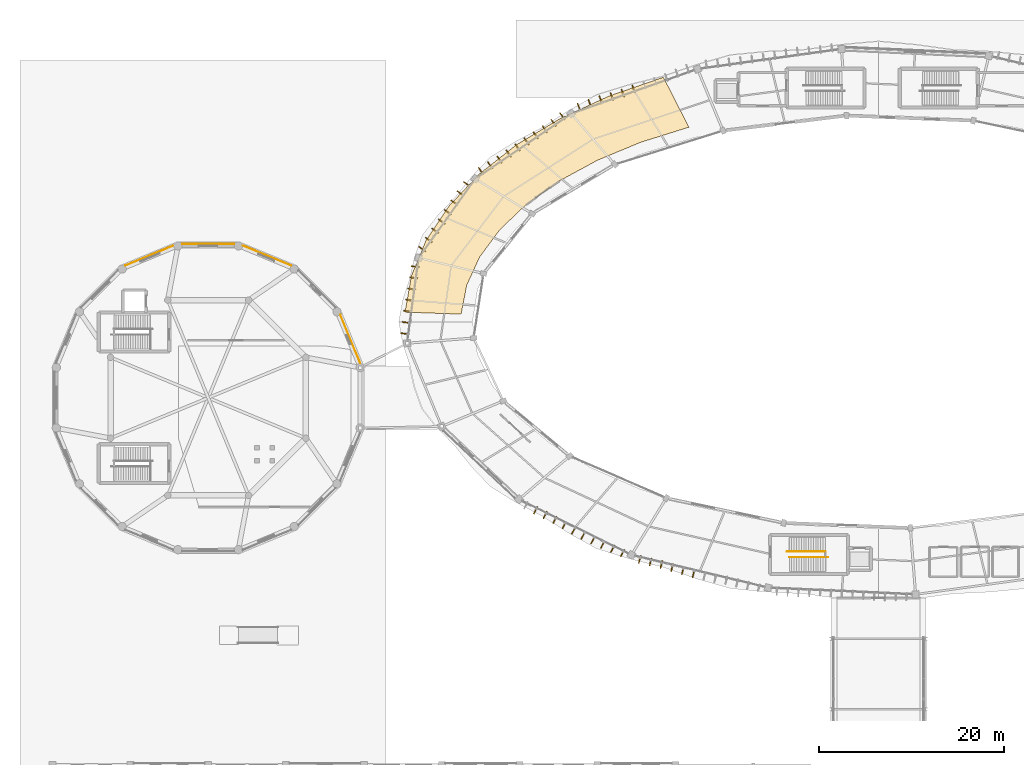
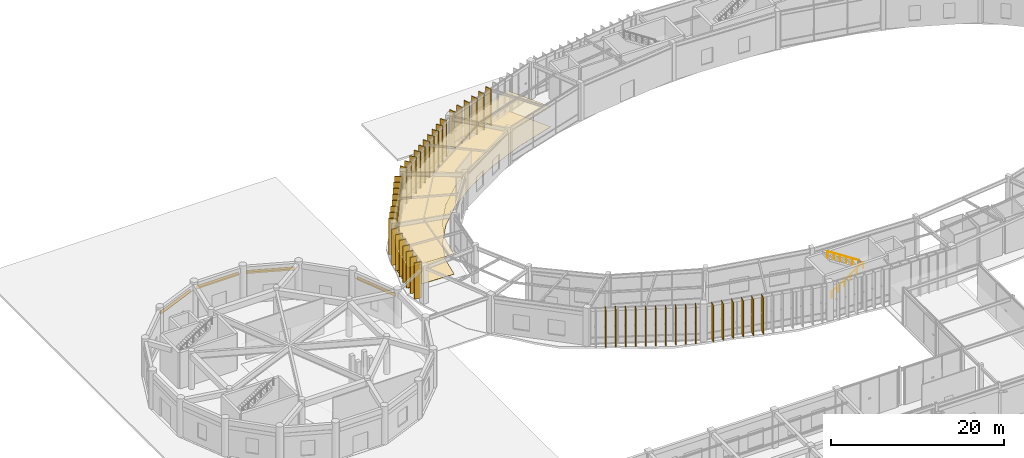
# One storey, part 149 of 157: 47 shading devices, 6 coverings, 2 railings.
"""IFC4 building model written with IfcOpenShell, lengths in metres."""

import ifcopenshell
import ifcopenshell.guid

model = None  # the IFC model being written
_history = None  # IfcOwnerHistory: only IFC2X3 demands one
_inside = {}  # id of a spatial element -> (the spatial element, [elements in it])
_under = {}  # id of a project, library or spatial element -> (it, [spatial elements below it])
_declared = {}  # id of a project -> (the project, [libraries it declares])
_typed = {}  # id of a type object -> (the type object, [elements of that type])
_made_of = {}  # id of a material, layer set ... -> (it, [elements and type objects made of it])


def new_model(schema):
    """Start an empty IFC model of exactly this schema.

    Asked for "IFC4X3", IfcOpenShell would pick the latest addendum, in which some entities
    have other attributes; the version numbers below select the first issue.
    IFC2X3 requires an IfcOwnerHistory on every rooted entity: one is made here for all.
    """
    global model, _history
    if schema == "IFC4X3":
        model = ifcopenshell.file(schema_version=(4, 3, 0, 0))
    else:
        model = ifcopenshell.file(schema=schema)
    _inside.clear()
    _under.clear()
    _declared.clear()
    _typed.clear()
    _made_of.clear()
    _history = None
    if model.schema == "IFC2X3":
        org = make("IfcOrganization", Name="unknown")
        user = make(
            "IfcPersonAndOrganization",
            ThePerson=make("IfcPerson", FamilyName="unknown"),
            TheOrganization=org,
        )
        app = make(
            "IfcApplication",
            ApplicationDeveloper=org,
            Version="unknown",
            ApplicationFullName="unknown",
            ApplicationIdentifier="unknown",
        )
        _history = make(
            "IfcOwnerHistory",
            OwningUser=user,
            OwningApplication=app,
            ChangeAction="ADDED",
            CreationDate=0,
        )
    return model


def make(cls, **values):
    """One entity of the class cls with the attributes given. An attribute that is None is left unset."""
    return model.create_entity(
        cls, **{name: value for name, value in values.items() if value is not None}
    )


def rooted(cls, **values):
    """An entity with a GlobalId (a new one), such as an element, a storey or a relation."""
    return make(cls, GlobalId=ifcopenshell.guid.new(), OwnerHistory=_history, **values)


def si_unit(unit_type, name, prefix=None):
    """IfcSIUnit, for example si_unit("LENGTHUNIT", "METRE", prefix="MILLI")."""
    return make("IfcSIUnit", UnitType=unit_type, Prefix=prefix, Name=name)


def assignment(units):
    """IfcUnitAssignment: the units of a project."""
    return None if units is None else make("IfcUnitAssignment", Units=units)


def point(xyz):
    """IfcCartesianPoint."""
    return None if xyz is None else make("IfcCartesianPoint", Coordinates=xyz)


def direction(xyz):
    """IfcDirection."""
    return None if xyz is None else make("IfcDirection", DirectionRatios=xyz)


def frame(location, z_axis=None, x_axis=None):
    """IfcAxis2Placement3D, a coordinate frame: its origin and axes. An axis left out is left unset."""
    return make(
        "IfcAxis2Placement3D",
        Location=point(location),
        Axis=direction(z_axis),
        RefDirection=direction(x_axis),
    )


def frame_2d(location, x_axis=None):
    """IfcAxis2Placement2D, a coordinate frame in the plane: its origin and x axis."""
    return make(
        "IfcAxis2Placement2D", Location=point(location), RefDirection=direction(x_axis)
    )


def origin():
    """The frame at (0, 0, 0) with its axes left unset."""
    return frame((0.0, 0.0, 0.0))


def origin_2d():
    """The frame at (0, 0) in the plane with its x axis left unset."""
    return frame_2d((0.0, 0.0))


def place(relative_to, where):
    """IfcLocalPlacement: puts the frame where relative to a parent placement (None: the world)."""
    return make(
        "IfcLocalPlacement", PlacementRelTo=relative_to, RelativePlacement=where
    )


def context(
    kind, dimensions, precision=None, world=None, true_north=None, identifier=None
):
    """IfcGeometricRepresentationContext, for example the 3D "Model" context."""
    return make(
        "IfcGeometricRepresentationContext",
        ContextIdentifier=identifier,
        ContextType=kind,
        CoordinateSpaceDimension=dimensions,
        Precision=precision,
        WorldCoordinateSystem=world,
        TrueNorth=true_north,
    )


def subcontext(parent, identifier, kind, view, scale=None):
    """IfcGeometricRepresentationSubContext, for example "Body" below "Model"."""
    return make(
        "IfcGeometricRepresentationSubContext",
        ContextIdentifier=identifier,
        ContextType=kind,
        ParentContext=parent,
        TargetScale=scale,
        TargetView=view,
    )


def project(units=None, contexts=None):
    """IfcProject with its units and contexts."""
    return rooted(
        "IfcProject",
        Name="project",
        RepresentationContexts=contexts,
        UnitsInContext=assignment(units),
    )


def spatial(cls, under=None, at=None, **own):
    """A site, building, storey or space (cls), placed at a placement, below another one or the project."""
    s = rooted(cls, ObjectPlacement=at, **own)
    if under is not None:
        _under.setdefault(under.id(), (under, []))[1].append(s)
    return s


def polyline(points):
    """IfcPolyline through the points."""
    return make("IfcPolyline", Points=[point(p) for p in points])


def profile(cls, at=None, kind="AREA", **sizes):
    """A parametric profile (cls). Its sizes go by their IFC names, for example OverallWidth=200.0."""
    return make(cls, ProfileType=kind, Position=at, **sizes)


def rectangle(**sizes):
    """IfcRectangleProfileDef."""
    return profile("IfcRectangleProfileDef", **sizes)


def circle(**sizes):
    """IfcCircleProfileDef."""
    return profile("IfcCircleProfileDef", **sizes)


def outline(outer, holes=None, kind="AREA"):
    """IfcArbitraryClosedProfileDef: a profile drawn as a closed curve; with holes, ...WithVoids."""
    if holes is None:
        return make("IfcArbitraryClosedProfileDef", ProfileType=kind, OuterCurve=outer)
    return make(
        "IfcArbitraryProfileDefWithVoids",
        ProfileType=kind,
        OuterCurve=outer,
        InnerCurves=holes,
    )


def extrude(swept, where, along, depth):
    """IfcExtrudedAreaSolid: the profile swept, set in the frame where, extruded along a direction by depth."""
    return make(
        "IfcExtrudedAreaSolid",
        SweptArea=swept,
        Position=where,
        ExtrudedDirection=direction(along),
        Depth=depth,
    )


def shape(context_of_items, identifier, shape_type, items):
    """IfcShapeRepresentation: the items that make up one representation, for example the "Body"."""
    return make(
        "IfcShapeRepresentation",
        ContextOfItems=context_of_items,
        RepresentationIdentifier=identifier,
        RepresentationType=shape_type,
        Items=items,
    )


def material(Name=None, Category=None):
    """IfcMaterial."""
    return make("IfcMaterial", Name=Name, Category=Category)


def layer(
    of_material, thickness, ventilated=None, Name=None, Category=None, Priority=None
):
    """IfcMaterialLayer: one layer of a wall or slab, of a material (None: an air gap)."""
    return make(
        "IfcMaterialLayer",
        Material=of_material,
        LayerThickness=thickness,
        IsVentilated=ventilated,
        Name=Name,
        Category=Category,
        Priority=Priority,
    )


def layer_set(layers, Name=None):
    """IfcMaterialLayerSet."""
    return make("IfcMaterialLayerSet", MaterialLayers=layers, LayerSetName=Name)


def made_of(thing, what):
    """Note that an element or type object is made of a material, layer set ...; save() writes the relation."""
    if what is not None:
        _made_of.setdefault(what.id(), (what, []))[1].append(thing)
    return thing


def type_object(cls, material=None, **own):
    """A type object (cls), such as IfcWallType, which elements share."""
    return made_of(rooted(cls, **own), material)


def element(
    cls,
    number,
    at=None,
    inside=None,
    cuts=None,
    type_object=None,
    material=None,
    context=None,
    identifier="Body",
    shape_type=None,
    held_by="IfcProductDefinitionShape",
    body=None,
    shapes=None,
    **own,
):
    """One element of the class cls, such as IfcWall. Its Tag is "e" and its number.

    at: its placement. inside: the storey or other place that contains it. cuts: it is an
    opening in that element (IfcRelVoidsElement). A single representation is given by context,
    identifier, shape_type and body (its items); several are given by shapes. held_by: the class
    of the entity that holds the representations. save() writes the other relations.
    """
    e = rooted(cls, Tag="e%d" % number, ObjectPlacement=at, **own)
    if body is not None:
        shapes = [shape(context, identifier, shape_type, body)]
    if shapes is not None:
        e.Representation = make(held_by, Representations=shapes)
    if inside is not None:
        _inside.setdefault(inside.id(), (inside, []))[1].append(e)
    if cuts is not None:
        rooted(
            "IfcRelVoidsElement", RelatingBuildingElement=cuts, RelatedOpeningElement=e
        )
    if type_object is not None:
        _typed.setdefault(type_object.id(), (type_object, []))[1].append(e)
    return made_of(e, material)


def aggregate(whole, parts):
    """IfcRelAggregates: a whole, such as a stair, and the parts it consists of."""
    return rooted("IfcRelAggregates", RelatingObject=whole, RelatedObjects=parts)


def save(model, path):
    """Write the relations noted so far, then the file.

    IfcRelAggregates (storeys below a building ...), IfcRelContainedInSpatialStructure (elements
    in a storey), IfcRelDefinesByType, IfcRelAssociatesMaterial and IfcRelDeclares: one each for
    every whole, place, type object, material and project.
    """
    for whole, parts in _under.values():
        aggregate(whole, parts)
    for where, things in _inside.values():
        rooted(
            "IfcRelContainedInSpatialStructure",
            RelatedElements=things,
            RelatingStructure=where,
        )
    for kind, things in _typed.values():
        rooted("IfcRelDefinesByType", RelatedObjects=things, RelatingType=kind)
    for what, things in _made_of.values():
        rooted("IfcRelAssociatesMaterial", RelatedObjects=things, RelatingMaterial=what)
    for by, libraries in _declared.values():
        rooted("IfcRelDeclares", RelatingContext=by, RelatedDefinitions=libraries)
    model.write(path)


model = new_model("IFC4")

# Units and contexts
model_context = context("Model", 3, precision=1e-05, world=origin(), true_north=direction((0.0, 1.0)))
body_context = subcontext(model_context, "Body", "Model", "MODEL_VIEW")
ifc_project = project(units=[si_unit("LENGTHUNIT", "METRE"), si_unit("AREAUNIT", "SQUARE_METRE"), si_unit("VOLUMEUNIT", "CUBIC_METRE"), si_unit("PLANEANGLEUNIT", "RADIAN"), si_unit("MASSUNIT", "GRAM", prefix="KILO"), si_unit("THERMODYNAMICTEMPERATUREUNIT", "KELVIN"), si_unit("POWERUNIT", "WATT")], contexts=[model_context])

# Site, building, storey
site_placement = place(None, origin())
site = spatial("IfcSite", under=ifc_project, at=site_placement, CompositionType="ELEMENT")
building_placement = place(site_placement, origin())
building = spatial("IfcBuilding", under=site, at=building_placement, Name="Darbajah Civic Hall", CompositionType="ELEMENT")
storey_placement = place(building_placement, origin())
storey = spatial("IfcBuildingStorey", under=building, at=storey_placement, Name="L00", CompositionType="ELEMENT", Elevation=0.0)

# Railings
ifc_material_1 = material(Name="Brushed Bronze Stainless Steel", Category="steel")
railing_type = type_object("IfcRailingType", Name="Brushed Bronze Handrail", PredefinedType="HANDRAIL", material=ifc_material_1)
railing_1_placement = place(storey_placement, frame((79.47998046875, 64.39990234375, 0.168701171875)))
element("IfcRailing", 1, at=railing_1_placement, inside=storey, type_object=railing_type, Name="ST03 L00 lower flight handrail", PredefinedType="HANDRAIL", context=body_context, shape_type="SweptSolid", body=[
    extrude(circle(Radius=0.02392578125, at=origin_2d()), frame((0.02294921875, 0.0, 0.910888671875), z_axis=(0.837079509808, 0.0, 0.547081250145), x_axis=(0.0, 1.0, 0.0)), (0.0, 0.0, 1.0), 4.9150390625),
    extrude(circle(Radius=0.02099609375, at=origin_2d()), origin(), (0.0, 0.0, 1.0), 0.867919921875),
    extrude(circle(Radius=0.02099609375, at=origin_2d()), frame((0.83203125, 0.0, 0.543701171875)), (0.0, 0.0, 1.0), 0.867919921875),
    extrude(circle(Radius=0.02099609375, at=origin_2d()), frame((1.6640625, 0.0, 1.08740234375)), (0.0, 0.0, 1.0), 0.867919921875),
    extrude(circle(Radius=0.02099609375, at=origin_2d()), frame((2.495849609375, 0.0, 1.63134765625)), (0.0, 0.0, 1.0), 0.867919921875),
    extrude(circle(Radius=0.02099609375, at=origin_2d()), frame((3.327880859375, 0.0, 2.175048828125)), (0.0, 0.0, 1.0), 0.867919921875),
    extrude(circle(Radius=0.02099609375, at=origin_2d()), frame((4.159912109375, 0.0, 2.71875)), (0.0, 0.0, 1.0), 0.867919921875),
])
railing_2_placement = place(storey_placement, frame((83.3798828125, 65.0, 2.86865234375)))
element("IfcRailing", 2, at=railing_2_placement, inside=storey, type_object=railing_type, Name="ST03 L00 upper flight handrail", PredefinedType="HANDRAIL", context=body_context, shape_type="SweptSolid", body=[
    extrude(circle(Radius=0.02392578125, at=origin_2d()), frame((-0.02294921875, 0.0, 0.910888671875), z_axis=(-0.837079509808, 0.0, 0.547081250145), x_axis=(0.0, -1.0, 0.0)), (0.0, 0.0, 1.0), 4.9150390625),
    extrude(circle(Radius=0.02099609375, at=origin_2d()), origin(), (0.0, 0.0, 1.0), 0.867919921875),
    extrude(circle(Radius=0.02099609375, at=origin_2d()), frame((-0.83203125, 0.0, 0.543701171875)), (0.0, 0.0, 1.0), 0.867919921875),
    extrude(circle(Radius=0.02099609375, at=origin_2d()), frame((-1.6640625, 0.0, 1.08740234375)), (0.0, 0.0, 1.0), 0.867919921875),
    extrude(circle(Radius=0.02099609375, at=origin_2d()), frame((-2.495849609375, 0.0, 1.63134765625)), (0.0, 0.0, 1.0), 0.867919921875),
    extrude(circle(Radius=0.02099609375, at=origin_2d()), frame((-3.327880859375, 0.0, 2.175048828125)), (0.0, 0.0, 1.0), 0.867919921875),
    extrude(circle(Radius=0.02099609375, at=origin_2d()), frame((-4.159912109375, 0.0, 2.71875)), (0.0, 0.0, 1.0), 0.867919921875),
])

# Coverings
ifc_material_2 = material(Name="Honed Qatari Limestone Terrazzo", Category="masonry")
ifc_layer_1 = layer(ifc_material_2, 0.030029296875, Name="Honed Qatari Limestone Terrazzo")
ifc_layer_set_1 = layer_set([ifc_layer_1], Name="Honed Qatari Limestone Terrazzo")
covering_type_1 = type_object("IfcCoveringType", Name="Honed Qatari Limestone Terrazzo Flooring", PredefinedType="FLOORING", material=ifc_layer_set_1)
covering_1_placement = place(storey_placement, origin())
element("IfcCovering", 3, at=covering_1_placement, inside=storey, type_object=covering_type_1, Name="L00 stone terrazzo flooring L00-V1-04", PredefinedType="FLOORING", context=body_context, shape_type="SweptSolid", body=[
    extrude(outline(polyline([(65.901123046875, 116.173828125), (60.064697265625, 114.157470703125), (54.7421875, 111.71044921875), (50.02685546875, 108.8759765625), (46.002685546875, 105.7041015625), (42.74072265625, 102.2509765625), (40.298583984375, 98.57763671875), (38.71923828125, 94.7490234375), (38.031005859375, 90.8330078125), (44.077392578125, 90.621826171875), (44.68408203125, 93.737548828125), (46.076416015625, 96.78369140625), (48.2294921875, 99.7060546875), (51.105224609375, 102.453369140625), (54.653076171875, 104.97705078125), (58.809814453125, 107.232177734375), (63.50244140625, 109.178955078125), (68.647705078125, 110.783203125), (65.901123046875, 116.173828125)])), origin(), (0.0, 0.0, 1.0), 0.030029296875),
])
ifc_material_3 = material(Name="Qatari Desert Limestone Ashlar", Category="masonry")
ifc_layer_2 = layer(ifc_material_3, 0.044921875, Name="Qatari Desert Limestone Ashlar")
ifc_layer_set_2 = layer_set([ifc_layer_2], Name="Qatari Desert Limestone Ashlar")
covering_type_2 = type_object("IfcCoveringType", Name="Limestone Facade Cladding", PredefinedType="CLADDING", material=ifc_layer_set_2)
covering_2_placement = place(storey_placement, frame((0.0, 0.0, 3.830078125)))
element("IfcCovering", 4, at=covering_2_placement, inside=storey, type_object=covering_type_2, Name="L00 stone frieze cladding EW-V2-L00-00", PredefinedType="CLADDING", context=body_context, shape_type="SweptSolid", body=[
    extrude(outline(polyline([(33.1826171875, 85.348388671875), (31.034912109375, 90.53369140625), (31.076416015625, 90.55078125), (33.22412109375, 85.36572265625), (33.1826171875, 85.348388671875)])), origin(), (0.0, 0.0, 1.0), 0.5),
])
covering_3_placement = place(storey_placement, frame((0.0, 0.0, 3.830078125)))
element("IfcCovering", 5, at=covering_3_placement, inside=storey, type_object=covering_type_2, Name="L00 stone frieze cladding EW-V2-L00-02", PredefinedType="CLADDING", context=body_context, shape_type="SweptSolid", body=[
    extrude(outline(polyline([(25.733642578125, 95.834716796875), (20.548583984375, 97.982421875), (20.565673828125, 98.024169921875), (25.750732421875, 95.87646484375), (25.733642578125, 95.834716796875)])), origin(), (0.0, 0.0, 1.0), 0.5),
])
covering_4_placement = place(storey_placement, frame((0.0, 0.0, 3.830078125)))
element("IfcCovering", 6, at=covering_4_placement, inside=storey, type_object=covering_type_2, Name="L00 stone frieze cladding EW-V2-L00-03", PredefinedType="CLADDING", context=body_context, shape_type="SweptSolid", body=[
    extrude(outline(polyline([(19.606201171875, 98.169921875), (13.993896484375, 98.169921875), (13.993896484375, 98.215087890625), (19.606201171875, 98.215087890625), (19.606201171875, 98.169921875)])), origin(), (0.0, 0.0, 1.0), 0.5),
])
covering_5_placement = place(storey_placement, frame((0.0, 0.0, 3.830078125)))
element("IfcCovering", 7, at=covering_5_placement, inside=storey, type_object=covering_type_2, Name="L00 stone frieze cladding EW-V2-L00-04", PredefinedType="CLADDING", context=body_context, shape_type="SweptSolid", body=[
    extrude(outline(polyline([(13.051513671875, 97.982421875), (7.866455078125, 95.834716796875), (7.84912109375, 95.87646484375), (13.0341796875, 98.024169921875), (13.051513671875, 97.982421875)])), origin(), (0.0, 0.0, 1.0), 0.5),
])
ifc_material_4 = material(Name="Perforated Acoustic Gypsum Board")
ifc_layer_3 = layer(ifc_material_4, 0.02490234375, Name="Perforated Acoustic Gypsum Board")
ifc_layer_set_3 = layer_set([ifc_layer_3], Name="Perforated Acoustic Gypsum Board")
covering_type_3 = type_object("IfcCoveringType", Name="Perforated Acoustic Gypsum Ceiling", PredefinedType="CEILING", material=ifc_layer_set_3)
covering_6_placement = place(storey_placement, frame((0.0, 0.0, 2.85009765625)))
element("IfcCovering", 8, at=covering_6_placement, inside=storey, type_object=covering_type_3, Name="L00 acoustic suspended ceiling L00-V1-04", PredefinedType="CEILING", context=body_context, shape_type="SweptSolid", body=[
    extrude(outline(polyline([(65.901123046875, 116.173828125), (60.064697265625, 114.157470703125), (54.7421875, 111.71044921875), (50.02685546875, 108.8759765625), (46.002685546875, 105.7041015625), (42.74072265625, 102.2509765625), (40.298583984375, 98.57763671875), (38.71923828125, 94.7490234375), (38.031005859375, 90.8330078125), (44.077392578125, 90.621826171875), (44.68408203125, 93.737548828125), (46.076416015625, 96.78369140625), (48.2294921875, 99.7060546875), (51.105224609375, 102.453369140625), (54.653076171875, 104.97705078125), (58.809814453125, 107.232177734375), (63.50244140625, 109.178955078125), (68.647705078125, 110.783203125), (65.901123046875, 116.173828125)])), origin(), (0.0, 0.0, 1.0), 0.02490234375),
])

# Shading devices
ifc_material_5 = material(Name="Bronze Anodised Aluminium and Teak Composite", Category="aluminium")
shading_device_type = type_object("IfcShadingDeviceType", Name="Vertical Bronze Timber Shading Fin", PredefinedType="USERDEFINED", material=ifc_material_5)
for number, where, z_axis, x_axis, name in (
    (9, (62.692138671875, 114.89306640625, 0.0), (0.0, 0.0, 1.0), (-0.334135882844, 0.94252491309, 0.0), "L00 vertical shading fin VF-06-6"),
    (10, (61.519775390625, 114.4775390625, 0.0), (0.0, 0.0, 1.0), (-0.334135882844, 0.94252491309, 0.0), "L00 vertical shading fin VF-06-7"),
    (11, (60.33056640625, 114.110107421875, 0.0), (0.0, 0.0, 1.0), (-0.334135882844, 0.94252491309, 0.0), "L00 vertical shading fin VF-06-8"),
    (12, (59.1357421875, 113.758056640625, 0.0), (0.0, 0.0, 1.0), (-0.334135882844, 0.94252491309, 0.0), "L00 vertical shading fin VF-06-9"),
    (13, (57.950927734375, 113.37841796875, 0.0), (0.0, 0.0, 1.0), (-0.334135882844, 0.94252491309, 0.0), "L00 vertical shading fin VF-06-10"),
    (14, (56.778564453125, 112.963623046875, 0.0), (0.0, 0.0, 1.0), (-0.334135882844, 0.94252491309, 0.0), "L00 vertical shading fin VF-06-11"),
    (15, (54.98193359375, 111.981689453125, 0.0), (0.0, 0.0, 1.0), (-0.560783509816, 0.827962472047, 0.0), "L00 vertical shading fin VF-07-1"),
    (16, (54.047607421875, 111.26416015625, 0.0), (0.0, 0.0, 1.0), (-0.560783509816, 0.827962472047, 0.0), "L00 vertical shading fin VF-07-2"),
    (17, (53.082763671875, 110.591064453125, 0.0), (0.0, 0.0, 1.0), (-0.560783509816, 0.827962472047, 0.0), "L00 vertical shading fin VF-07-3"),
    (18, (52.10888671875, 109.931640625, 0.0), (0.0, 0.0, 1.0), (-0.560783509816, 0.827962472047, 0.0), "L00 vertical shading fin VF-07-4"),
    (19, (51.135009765625, 109.27197265625, 0.0), (0.0, 0.0, 1.0), (-0.560783509816, 0.827962472047, 0.0), "L00 vertical shading fin VF-07-5"),
    (20, (50.1611328125, 108.612548828125, 0.0), (0.0, 0.0, 1.0), (-0.560783509816, 0.827962472047, 0.0), "L00 vertical shading fin VF-07-6"),
    (21, (49.1875, 107.952880859375, 0.0), (0.0, 0.0, 1.0), (-0.560783509816, 0.827962472047, 0.0), "L00 vertical shading fin VF-07-7"),
    (22, (48.212158203125, 107.29541015625, 0.0), (0.0, 0.0, 1.0), (-0.560783509816, 0.827962472047, 0.0), "L00 vertical shading fin VF-07-8"),
    (23, (47.205078125, 106.68505859375, 0.0), (0.0, 0.0, 1.0), (-0.560783509816, 0.827962472047, 0.0), "L00 vertical shading fin VF-07-9"),
    (24, (46.202392578125, 106.06787109375, 0.0), (0.0, 0.0, 1.0), (-0.560783509816, 0.827962472047, 0.0), "L00 vertical shading fin VF-07-10"),
    (25, (44.69580078125, 104.660400390625, 0.0), (0.0, 0.0, 1.0), (-0.812999149039, 0.582264874145, 0.0), "L00 vertical shading fin VF-08-1"),
    (26, (43.994140625, 103.666015625, 0.0), (0.0, 0.0, 1.0), (-0.812999149039, 0.582264874145, 0.0), "L00 vertical shading fin VF-08-2"),
    (27, (43.31689453125, 102.654541015625, 0.0), (0.0, 0.0, 1.0), (-0.812999149039, 0.582264874145, 0.0), "L00 vertical shading fin VF-08-3"),
    (28, (42.655517578125, 101.631591796875, 0.0), (0.0, 0.0, 1.0), (-0.812999149039, 0.582264874145, 0.0), "L00 vertical shading fin VF-08-4"),
    (29, (41.99267578125, 100.60986328125, 0.0), (0.0, 0.0, 1.0), (-0.812999149039, 0.582264874145, 0.0), "L00 vertical shading fin VF-08-5"),
    (30, (41.2841796875, 99.62060546875, 0.0), (0.0, 0.0, 1.0), (-0.812999149039, 0.582264874145, 0.0), "L00 vertical shading fin VF-08-6"),
    (31, (40.57568359375, 98.63134765625, 0.0), (0.0, 0.0, 1.0), (-0.812999149039, 0.582264874145, 0.0), "L00 vertical shading fin VF-08-7"),
    (32, (39.867431640625, 97.64208984375, 0.0), (0.0, 0.0, 1.0), (-0.812999149039, 0.582264874145, 0.0), "L00 vertical shading fin VF-08-8"),
    (33, (39.113525390625, 95.744873046875, 0.0), (0.0, 0.0, 1.0), (-0.990865897387, 0.134850930274, 0.0), "L00 vertical shading fin VF-09-1"),
    (34, (38.94921875, 94.537109375, 0.0), (0.0, 0.0, 1.0), (-0.990865897387, 0.134850930274, 0.0), "L00 vertical shading fin VF-09-2"),
    (35, (38.736328125, 93.336181640625, 0.0), (0.0, 0.0, 1.0), (-0.990865897387, 0.134850930274, 0.0), "L00 vertical shading fin VF-09-3"),
    (36, (38.5126953125, 92.136474609375, 0.0), (0.0, 0.0, 1.0), (-0.990865897387, 0.134850930274, 0.0), "L00 vertical shading fin VF-09-4"),
    (37, (38.308349609375, 90.93408203125, 0.0), (0.0, 0.0, 1.0), (-0.990865897387, 0.134850930274, 0.0), "L00 vertical shading fin VF-09-5"),
    (38, (38.132080078125, 89.72802734375, 0.0), (0.0, 0.0, 1.0), (-0.990865897387, 0.134850930274, 0.0), "L00 vertical shading fin VF-09-6"),
    (39, (37.98583984375, 88.51806640625, 0.0), (0.0, 0.0, 1.0), (-0.990865897387, 0.134850930274, 0.0), "L00 vertical shading fin VF-09-7"),
    (40, (52.102294921875, 69.46484375, 0.0), (0.0, 0.0, 1.0), (-0.442914717678, -0.89656374724, 0.0), "L00 vertical shading fin VF-12-2"),
    (41, (53.143798828125, 68.9501953125, 0.0), (0.0, 0.0, 1.0), (-0.442914717678, -0.89656374724, 0.0), "L00 vertical shading fin VF-12-3"),
    (42, (54.17919921875, 68.42333984375, 0.0), (0.0, 0.0, 1.0), (-0.442914717678, -0.89656374724, 0.0), "L00 vertical shading fin VF-12-4"),
    (43, (55.19189453125, 67.850341796875, 0.0), (0.0, 0.0, 1.0), (-0.442914717678, -0.89656374724, 0.0), "L00 vertical shading fin VF-12-5"),
    (44, (56.209716796875, 67.28759765625, 0.0), (0.0, 0.0, 1.0), (-0.442914717678, -0.89656374724, 0.0), "L00 vertical shading fin VF-12-6"),
    (45, (57.2392578125, 66.74853515625, 0.0), (0.0, 0.0, 1.0), (-0.442914717678, -0.89656374724, 0.0), "L00 vertical shading fin VF-12-7"),
    (46, (58.284912109375, 66.241943359375, 0.0), (0.0, 0.0, 1.0), (-0.442914717678, -0.89656374724, 0.0), "L00 vertical shading fin VF-12-8"),
    (47, (59.3466796875, 65.768310546875, 0.0), (0.0, 0.0, 1.0), (-0.442914717678, -0.89656374724, 0.0), "L00 vertical shading fin VF-12-9"),
    (48, (60.419677734375, 65.317626953125, 0.0), (0.0, 0.0, 1.0), (-0.442914717678, -0.89656374724, 0.0), "L00 vertical shading fin VF-12-10"),
    (49, (61.476318359375, 64.833740234375, 0.0), (0.0, 0.0, 1.0), (-0.442914717678, -0.89656374724, 0.0), "L00 vertical shading fin VF-12-11"),
    (50, (63.341064453125, 64.16162109375, 0.0), (0.0, 0.0, 1.0), (-0.232936200179, -0.972492018808, 0.0), "L00 vertical shading fin VF-13-1"),
    (51, (64.508544921875, 63.882080078125, 0.0), (0.0, 0.0, 1.0), (-0.232936200179, -0.972492018808, 0.0), "L00 vertical shading fin VF-13-2"),
    (52, (65.67578125, 63.602294921875, 0.0), (0.0, 0.0, 1.0), (-0.232936200179, -0.972492018808, 0.0), "L00 vertical shading fin VF-13-3"),
    (53, (66.834716796875, 63.28662109375, 0.0), (0.0, 0.0, 1.0), (-0.232936200179, -0.972492018808, 0.0), "L00 vertical shading fin VF-13-4"),
    (54, (67.98388671875, 62.930908203125, 0.0), (0.0, 0.0, 1.0), (-0.232936200179, -0.972492018808, 0.0), "L00 vertical shading fin VF-13-5"),
    (55, (69.14111328125, 62.608642578125, 0.0), (0.0, 0.0, 1.0), (-0.232936200179, -0.972492018808, 0.0), "L00 vertical shading fin VF-13-6"),
):
    element("IfcShadingDevice", number, at=place(storey_placement, frame(where, z_axis=z_axis, x_axis=x_axis)), inside=storey, type_object=shading_device_type, Name=name, ObjectType="VERTICAL FIN", PredefinedType="USERDEFINED", context=body_context, shape_type="SweptSolid", body=[
        extrude(rectangle(XDim=0.85009765625, YDim=0.090087890625, at=origin_2d()), origin(), (0.0, 0.0, 1.0), 5.1201171875),
    ])

save(model, "model.ifc")
